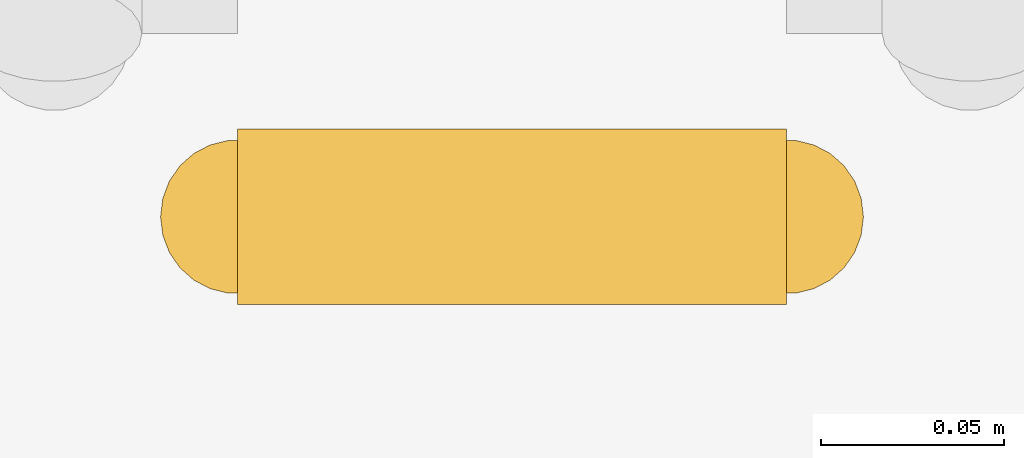
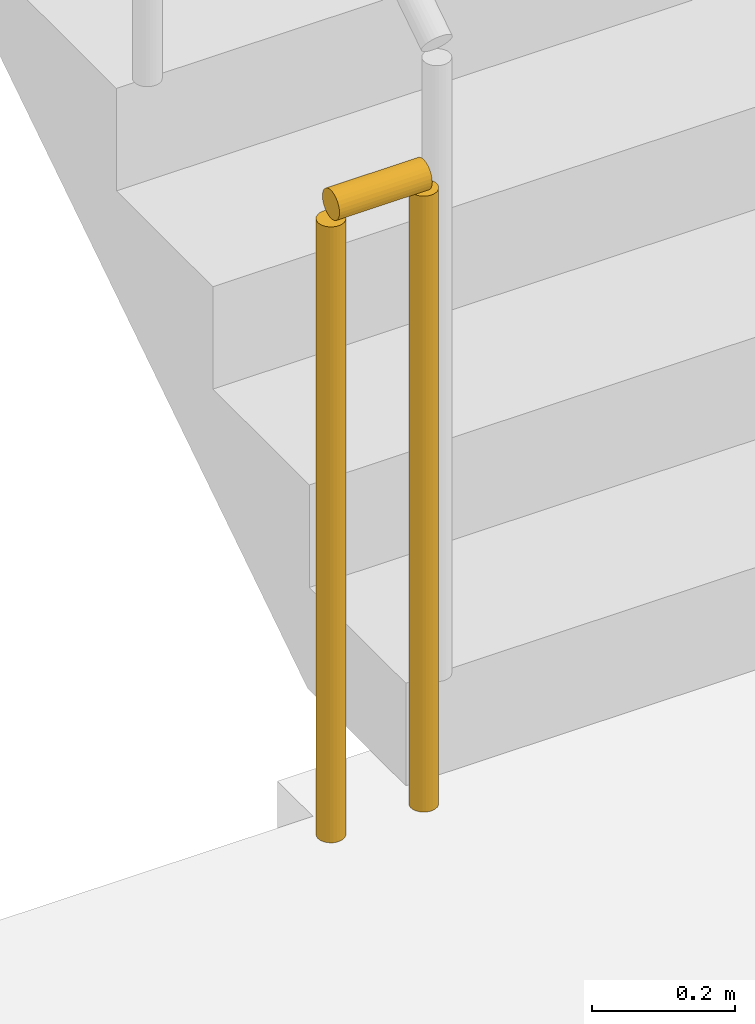
# One storey, part 16 of 19: 1 railing.
"""IFC4 building model written with IfcOpenShell, lengths in metres."""

from ifc_helpers import new_model, si_unit, direction, frame, origin, origin_2d, place, context, subcontext, project, spatial, circle, extrude, material, type_object, element, save


model = new_model("IFC4")

# Units and contexts
model_context = context("Model", 3, precision=1e-05, world=origin(), true_north=direction((0.0, 1.0)))
body_context = subcontext(model_context, "Body", "Model", "MODEL_VIEW")
ifc_project = project(units=[si_unit("LENGTHUNIT", "METRE"), si_unit("AREAUNIT", "SQUARE_METRE"), si_unit("VOLUMEUNIT", "CUBIC_METRE"), si_unit("PLANEANGLEUNIT", "RADIAN"), si_unit("MASSUNIT", "GRAM", prefix="KILO")], contexts=[model_context])

# Site, building, storey
site_placement = place(None, origin())
site = spatial("IfcSite", under=ifc_project, at=site_placement, CompositionType="ELEMENT")
building_placement = place(site_placement, origin())
building = spatial("IfcBuilding", under=site, at=building_placement, Name="Saffron Iwan Residences", CompositionType="ELEMENT")
storey_placement = place(building_placement, frame((0.0, 0.0, 243.0)))
storey = spatial("IfcBuildingStorey", under=building, at=storey_placement, Name="L65", CompositionType="ELEMENT", Elevation=243.0)

# Railing
ifc_material = material(Name="Steel S355", Category="steel")
railing_type = type_object("IfcRailingType", Name="Stair guard 1100", PredefinedType="GUARDRAIL", material=ifc_material)
railing_placement = place(storey_placement, frame((69.699951171875, 67.800048828125, 0.0)))
element("IfcRailing", 1, at=railing_placement, inside=storey, type_object=railing_type, Name="L65 ST-E stair guard 2", PredefinedType="GUARDRAIL", context=body_context, shape_type="SweptSolid", body=[
    extrude(circle(Radius=0.02392578125, at=origin_2d()), frame((0.0, 0.0, 1.076171875), z_axis=(-1.0, 0.0, 0.0), x_axis=(0.0, -1.0, 0.0)), (0.0, 0.0, 1.0), 0.14990234375),
    extrude(circle(Radius=0.02099609375, at=origin_2d()), origin(), (0.0, 0.0, 1.0), 1.052001953125),
    extrude(circle(Radius=0.02099609375, at=origin_2d()), frame((-0.14990234375, 0.0, 0.0)), (0.0, 0.0, 1.0), 1.052001953125),
])

save(model, "model.ifc")
